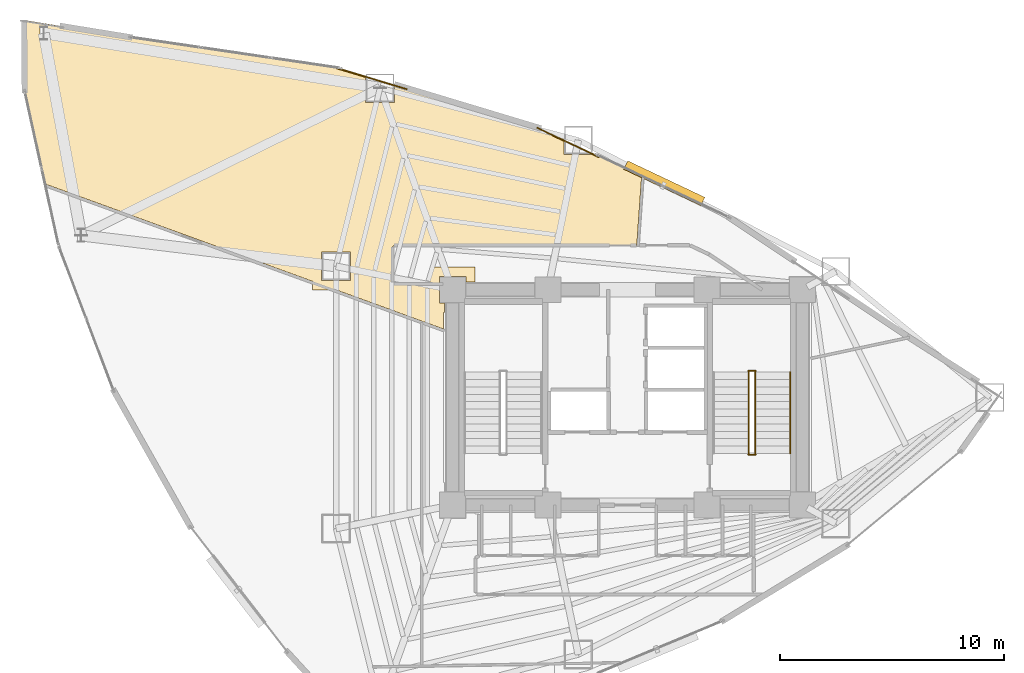
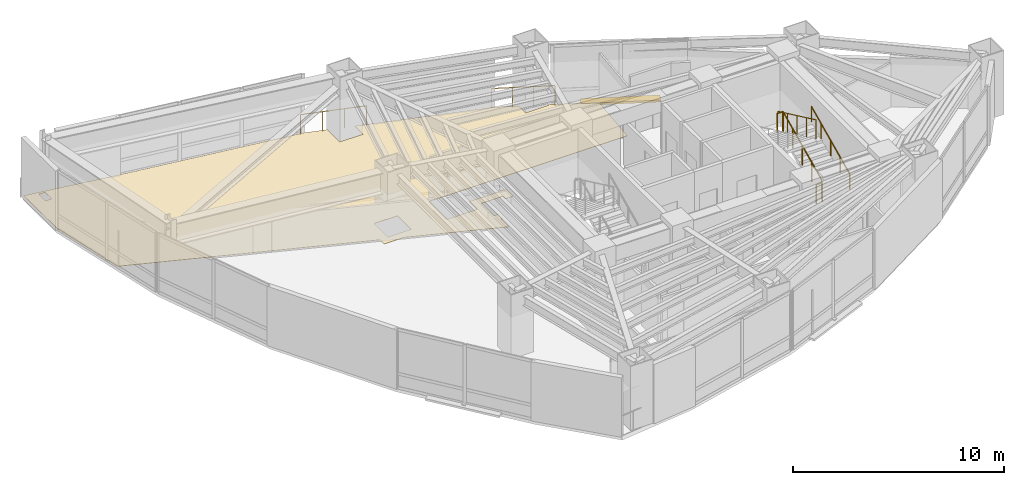
# One storey, part 24 of 25: 7 railings, 1 covering, 1 shading device.
"""IFC4 building model written with IfcOpenShell, lengths in metres."""

from ifc_helpers import new_model, si_unit, direction, frame, origin, origin_2d, place, context, subcontext, project, spatial, polyline, rectangle, circle, outline, extrude, material, layer, layer_set, type_object, element, save


model = new_model("IFC4")

# Units and contexts
model_context = context("Model", 3, precision=1e-05, world=origin(), true_north=direction((0.0, 1.0)))
body_context = subcontext(model_context, "Body", "Model", "MODEL_VIEW")
ifc_project = project(units=[si_unit("LENGTHUNIT", "METRE"), si_unit("AREAUNIT", "SQUARE_METRE"), si_unit("VOLUMEUNIT", "CUBIC_METRE"), si_unit("PLANEANGLEUNIT", "RADIAN"), si_unit("MASSUNIT", "GRAM", prefix="KILO")], contexts=[model_context])

# Site, building, storey
site_placement = place(None, origin())
site = spatial("IfcSite", under=ifc_project, at=site_placement, CompositionType="ELEMENT")
building_placement = place(site_placement, origin())
building = spatial("IfcBuilding", under=site, at=building_placement, Name="Menara Vayukalpa", CompositionType="ELEMENT")
storey_placement = place(building_placement, frame((0.0, 0.0, 115.139892578125)))
storey = spatial("IfcBuildingStorey", under=building, at=storey_placement, Name="L28", CompositionType="ELEMENT", Elevation=115.139892578125)

# Covering
ifc_material_1 = material(Name="Porcelain Stoneware Floor Tile", Category="masonry")
ifc_layer_1 = layer(ifc_material_1, 0.02001953125)
ifc_layer_set_1 = layer_set([ifc_layer_1], Name="Porcelain Stoneware Floor Tile")
covering_type = type_object("IfcCoveringType", Name="COV-FLR1", PredefinedType="FLOORING", material=ifc_layer_set_1)
covering_placement = place(storey_placement, origin())
element("IfcCovering", 1, at=covering_placement, inside=storey, type_object=covering_type, Name="L28 Digital Engineering Lab Porcelain Flooring", PredefinedType="FLOORING", context=body_context, shape_type="SweptSolid", body=[
    extrude(outline(polyline([(18.81005859375, 27.14990234375), (18.389892578125, 27.14990234375), (18.389892578125, 27.389892578125), (17.2099609375, 27.389892578125), (17.2099609375, 26.2099609375), (17.449951171875, 26.2099609375), (17.449951171875, 25.7900390625), (17.389892578125, 25.7900390625), (17.389892578125, 25.06640625), (17.389892578125, 25.065185546875), (17.389892578125, 25.064453125), (17.3896484375, 25.0634765625), (17.389404296875, 25.0625), (17.388916015625, 25.061767578125), (17.388427734375, 25.060791015625), (17.3876953125, 25.06005859375), (17.38720703125, 25.059326171875), (17.386474609375, 25.05859375), (17.3857421875, 25.05810546875), (17.385009765625, 25.0576171875), (17.384033203125, 25.05712890625), (17.38330078125, 25.056884765625), (17.382080078125, 25.056640625), (17.38134765625, 25.056396484375), (17.38037109375, 25.056396484375), (17.37939453125, 25.056396484375), (17.37841796875, 25.056396484375), (17.37744140625, 25.056640625), (17.376708984375, 25.056884765625), (12.626708984375, 26.78564453125), (11.546630859375, 26.78564453125), (11.546630859375, 27.178955078125), (-0.3369140625, 31.504150390625), (-0.343017578125, 31.506103515625), (-0.34423828125, 31.50634765625), (-0.34521484375, 31.506591796875), (-0.34619140625, 31.507080078125), (-0.34716796875, 31.507568359375), (-0.347900390625, 31.508056640625), (-0.3486328125, 31.5087890625), (-0.349365234375, 31.509521484375), (-0.35009765625, 31.51025390625), (-0.3505859375, 31.510986328125), (-0.35107421875, 31.511962890625), (-0.351318359375, 31.512939453125), (-0.351806640625, 31.513916015625), (-1.26513671875, 35.672607421875), (-1.26513671875, 35.673583984375), (-1.265380859375, 35.6748046875), (-1.288330078125, 38.801513671875), (-1.288330078125, 38.802490234375), (-1.2880859375, 38.803466796875), (-1.287841796875, 38.804443359375), (-1.28759765625, 38.805419921875), (-1.287109375, 38.806396484375), (-1.28662109375, 38.80712890625), (-1.2861328125, 38.807861328125), (-1.285400390625, 38.80859375), (-1.284912109375, 38.809326171875), (-1.283935546875, 38.809814453125), (-1.283203125, 38.810302734375), (-1.282470703125, 38.810791015625), (-1.281494140625, 38.811279296875), (-1.280517578125, 38.811279296875), (-1.279541015625, 38.8115234375), (-1.278564453125, 38.811767578125), (-1.277587890625, 38.811767578125), (-1.276611328125, 38.8115234375), (3.41162109375, 38.050537109375), (3.412353515625, 38.05029296875), (3.41259765625, 38.05029296875), (12.826416015625, 36.666259765625), (12.827880859375, 36.666015625), (13.92919921875, 36.33447265625), (13.92919921875, 35.157470703125), (15.208984375, 35.157470703125), (15.208984375, 35.94921875), (21.740966796875, 33.982666015625), (21.74169921875, 33.982421875), (21.742431640625, 33.982177734375), (22.768310546875, 33.49658203125), (22.768310546875, 32.827392578125), (24.048095703125, 32.827392578125), (24.048095703125, 32.890380859375), (26.222900390625, 31.86083984375), (26.223876953125, 31.860595703125), (26.224609375, 31.85986328125), (26.2255859375, 31.859375), (26.226318359375, 31.858642578125), (26.226806640625, 31.85791015625), (26.227294921875, 31.85693359375), (26.227783203125, 31.856201171875), (26.228271484375, 31.85498046875), (26.228515625, 31.854248046875), (26.228515625, 31.853271484375), (26.228759765625, 31.852294921875), (26.228759765625, 31.851318359375), (26.013916015625, 28.779296875), (26.013916015625, 28.7783203125), (26.013427734375, 28.77734375), (26.01318359375, 28.7763671875), (26.0126953125, 28.775390625), (26.01220703125, 28.774658203125), (26.01171875, 28.773681640625), (26.010986328125, 28.77294921875), (26.01025390625, 28.7724609375), (26.009521484375, 28.771728515625), (26.0087890625, 28.771240234375), (26.0078125, 28.770751953125), (26.0068359375, 28.7705078125), (26.005859375, 28.770263671875), (26.0048828125, 28.77001953125), (26.00390625, 28.77001953125), (15.2001953125, 28.77001953125), (15.193115234375, 28.76953125), (15.186279296875, 28.768798828125), (15.1796875, 28.76708984375), (15.173095703125, 28.7646484375), (15.1669921875, 28.76171875), (15.1611328125, 28.75830078125), (15.155517578125, 28.75390625), (15.150390625, 28.74951171875), (15.14599609375, 28.744384765625), (15.141845703125, 28.73876953125), (15.13818359375, 28.73291015625), (15.13525390625, 28.726806640625), (15.133056640625, 28.72021484375), (15.13134765625, 28.713623046875), (15.13037109375, 28.706787109375), (15.1298828125, 28.69970703125), (15.1298828125, 27.140380859375), (15.13037109375, 27.13330078125), (15.13134765625, 27.126220703125), (15.133056640625, 27.11962890625), (15.13525390625, 27.11328125), (15.13818359375, 27.10693359375), (15.141845703125, 27.101318359375), (15.14599609375, 27.095458984375), (15.150390625, 27.090576171875), (15.155517578125, 27.0859375), (15.1611328125, 27.081787109375), (15.1669921875, 27.078125), (15.173095703125, 27.0751953125), (15.1796875, 27.072998046875), (15.186279296875, 27.0712890625), (15.193115234375, 27.0703125), (15.2001953125, 27.070068359375), (16.7900390625, 27.070068359375), (16.7900390625, 27.81005859375), (18.81005859375, 27.81005859375), (18.81005859375, 27.14990234375)]), holes=[polyline([(13.24658203125, 28.485595703125), (11.966552734375, 28.485595703125), (11.966552734375, 27.205810546875), (13.24658203125, 27.205810546875), (13.24658203125, 28.485595703125)]), polyline([(-0.263671875, 38.54638671875), (-0.593505859375, 38.54638671875), (-0.593505859375, 37.92822265625), (-0.263671875, 37.92822265625), (-0.263671875, 38.54638671875)])]), origin(), (0.0, 0.0, 1.0), 0.02001953125),
])

# Railings
ifc_material_2 = material(Name="Laminated Glass and Stainless Steel 316 Guardrail", Category="steel")
railing_type_1 = type_object("IfcRailingType", Name="RLG-EXT115", PredefinedType="GUARDRAIL", material=ifc_material_2)
railing_1_placement = place(storey_placement, frame((24.320068359375, 32.717529296875, 0.0)))
element("IfcRailing", 2, at=railing_1_placement, inside=storey, type_object=railing_type_1, Name="L28 Column Corner Spandrel Guardrail 04-1", PredefinedType="GUARDRAIL", context=body_context, shape_type="SweptSolid", body=[
    extrude(circle(Radius=0.02392578125, at=origin_2d()), frame((0.0, 0.0, 1.1259765625), z_axis=(-0.903818151979, 0.427916753765, 0.0), x_axis=(-0.427916753765, -0.903818151979, 0.0)), (0.0, 0.0, 1.0), 3.032470703125),
    extrude(circle(Radius=0.02099609375, at=origin_2d()), origin(), (0.0, 0.0, 1.0), 1.101806640625),
    extrude(circle(Radius=0.02099609375, at=origin_2d()), frame((-0.91357421875, 0.4326171875, 0.0)), (0.0, 0.0, 1.0), 1.101806640625),
    extrude(circle(Radius=0.02099609375, at=origin_2d()), frame((-1.8271484375, 0.864990234375, 0.0)), (0.0, 0.0, 1.0), 1.101806640625),
    extrude(circle(Radius=0.02099609375, at=origin_2d()), frame((-2.74072265625, 1.297607421875, 0.0)), (0.0, 0.0, 1.0), 1.101806640625),
])
railing_2_placement = place(storey_placement, frame((15.7490234375, 35.744873046875, 0.0)))
element("IfcRailing", 3, at=railing_2_placement, inside=storey, type_object=railing_type_1, Name="L28 Column Corner Spandrel Guardrail 05-1", PredefinedType="GUARDRAIL", context=body_context, shape_type="SweptSolid", body=[
    extrude(circle(Radius=0.02392578125, at=origin_2d()), frame((0.0, 0.0, 1.1259765625), z_axis=(-0.957550754701, 0.288264725854, 0.0), x_axis=(-0.288264725854, -0.957550754701, 0.0)), (0.0, 0.0, 1.0), 3.224365234375),
    extrude(circle(Radius=0.02099609375, at=origin_2d()), origin(), (0.0, 0.0, 1.0), 1.101806640625),
    extrude(circle(Radius=0.02099609375, at=origin_2d()), frame((-1.029052734375, 0.309814453125, 0.0)), (0.0, 0.0, 1.0), 1.101806640625),
    extrude(circle(Radius=0.02099609375, at=origin_2d()), frame((-2.058349609375, 0.61962890625, 0.0)), (0.0, 0.0, 1.0), 1.101806640625),
    extrude(circle(Radius=0.02099609375, at=origin_2d()), frame((-3.08740234375, 0.929443359375, 0.0)), (0.0, 0.0, 1.0), 1.101806640625),
])
ifc_material_3 = material(Name="Powder-Coated Galvanised Steel Guardrail", Category="steel")
railing_type_2 = type_object("IfcRailingType", Name="RLG-STG110", PredefinedType="GUARDRAIL", material=ifc_material_3)
railing_3_placement = place(storey_placement, frame((31.300048828125, 19.5, 0.155029296875)))
element("IfcRailing", 4, at=railing_3_placement, inside=storey, type_object=railing_type_2, Name="L28 ST-2 stair guard 1", PredefinedType="GUARDRAIL", context=body_context, shape_type="SweptSolid", body=[
    extrude(circle(Radius=0.02392578125, at=origin_2d()), frame((0.0, 0.0, 1.09619140625), z_axis=(0.0, 0.90511648382, 0.425163675209), x_axis=(-1.0, 0.0, 0.0)), (0.0, 0.0, 1.0), 4.010498046875),
    extrude(circle(Radius=0.02099609375, at=origin_2d()), origin(), (0.0, 0.0, 1.0), 1.072021484375),
    extrude(circle(Radius=0.02099609375, at=origin_2d()), frame((0.0, 0.907470703125, 0.42626953125)), (0.0, 0.0, 1.0), 1.072021484375),
    extrude(circle(Radius=0.02099609375, at=origin_2d()), frame((0.0, 1.81494140625, 0.8525390625)), (0.0, 0.0, 1.0), 1.072021484375),
    extrude(circle(Radius=0.02099609375, at=origin_2d()), frame((0.0, 2.722412109375, 1.27880859375)), (0.0, 0.0, 1.0), 1.072021484375),
    extrude(circle(Radius=0.02099609375, at=origin_2d()), frame((0.0, 3.6298828125, 1.705078125)), (0.0, 0.0, 1.0), 1.072021484375),
])
railing_4_placement = place(storey_placement, frame((31.31005859375, 23.179931640625, 1.860107421875)))
element("IfcRailing", 5, at=railing_4_placement, inside=storey, type_object=railing_type_2, Name="L28 ST-2 stair guard 2", PredefinedType="GUARDRAIL", context=body_context, shape_type="SweptSolid", body=[
    extrude(circle(Radius=0.02392578125, at=origin_2d()), frame((0.0, 0.0, 1.09619140625), z_axis=(-1.0, 0.0, 0.0), x_axis=(0.0, -1.0, 0.0)), (0.0, 0.0, 1.0), 0.320068359375),
    extrude(circle(Radius=0.02099609375, at=origin_2d()), origin(), (0.0, 0.0, 1.0), 1.072021484375),
    extrude(circle(Radius=0.02099609375, at=origin_2d()), frame((-0.320068359375, 0.0, 0.0)), (0.0, 0.0, 1.0), 1.072021484375),
])
railing_5_placement = place(storey_placement, frame((31.0, 23.1298828125, 2.01513671875)))
element("IfcRailing", 6, at=railing_5_placement, inside=storey, type_object=railing_type_2, Name="L28 ST-2 stair guard 3", PredefinedType="GUARDRAIL", context=body_context, shape_type="SweptSolid", body=[
    extrude(circle(Radius=0.02392578125, at=origin_2d()), frame((0.0, 0.0, 1.09619140625), z_axis=(0.0, -0.90511648382, 0.425163675209), x_axis=(1.0, 0.0, 0.0)), (0.0, 0.0, 1.0), 4.010498046875),
    extrude(circle(Radius=0.02099609375, at=origin_2d()), origin(), (0.0, 0.0, 1.0), 1.072021484375),
    extrude(circle(Radius=0.02099609375, at=origin_2d()), frame((0.0, -0.907470703125, 0.42626953125)), (0.0, 0.0, 1.0), 1.072021484375),
    extrude(circle(Radius=0.02099609375, at=origin_2d()), frame((0.0, -1.81494140625, 0.8525390625)), (0.0, 0.0, 1.0), 1.072021484375),
    extrude(circle(Radius=0.02099609375, at=origin_2d()), frame((0.0, -2.722412109375, 1.27880859375)), (0.0, 0.0, 1.0), 1.072021484375),
    extrude(circle(Radius=0.02099609375, at=origin_2d()), frame((0.0, -3.6298828125, 1.705078125)), (0.0, 0.0, 1.0), 1.072021484375),
])
railing_6_placement = place(storey_placement, frame((31.31005859375, 19.449951171875, 0.0)))
element("IfcRailing", 7, at=railing_6_placement, inside=storey, type_object=railing_type_2, Name="L28 ST-2 stair guard 4", PredefinedType="GUARDRAIL", context=body_context, shape_type="SweptSolid", body=[
    extrude(circle(Radius=0.02392578125, at=origin_2d()), frame((0.0, 0.0, 1.09619140625), z_axis=(-1.0, 0.0, 0.0), x_axis=(0.0, -1.0, 0.0)), (0.0, 0.0, 1.0), 0.320068359375),
    extrude(circle(Radius=0.02099609375, at=origin_2d()), origin(), (0.0, 0.0, 1.0), 1.072021484375),
    extrude(circle(Radius=0.02099609375, at=origin_2d()), frame((-0.320068359375, 0.0, 0.0)), (0.0, 0.0, 1.0), 1.072021484375),
])
ifc_material_4 = material(Name="Stainless Steel 316 Tubular Handrail", Category="steel")
railing_type_3 = type_object("IfcRailingType", Name="RLG-STH090", PredefinedType="HANDRAIL", material=ifc_material_4)
railing_7_placement = place(storey_placement, frame((32.85009765625, 19.5, 0.155029296875)))
element("IfcRailing", 8, at=railing_7_placement, inside=storey, type_object=railing_type_3, Name="L28 ST-2 stair handrail 1", PredefinedType="HANDRAIL", context=body_context, shape_type="SweptSolid", body=[
    extrude(circle(Radius=0.02392578125, at=origin_2d()), frame((0.0, 0.0, 0.8759765625), z_axis=(0.0, 0.90511648382, 0.425163675209), x_axis=(-1.0, 0.0, 0.0)), (0.0, 0.0, 1.0), 4.010498046875),
    extrude(circle(Radius=0.02099609375, at=origin_2d()), origin(), (0.0, 0.0, 1.0), 0.851806640625),
    extrude(circle(Radius=0.02099609375, at=origin_2d()), frame((0.0, 0.907470703125, 0.42626953125)), (0.0, 0.0, 1.0), 0.851806640625),
    extrude(circle(Radius=0.02099609375, at=origin_2d()), frame((0.0, 1.81494140625, 0.8525390625)), (0.0, 0.0, 1.0), 0.851806640625),
    extrude(circle(Radius=0.02099609375, at=origin_2d()), frame((0.0, 2.722412109375, 1.27880859375)), (0.0, 0.0, 1.0), 0.851806640625),
    extrude(circle(Radius=0.02099609375, at=origin_2d()), frame((0.0, 3.6298828125, 1.705078125)), (0.0, 0.0, 1.0), 0.851806640625),
])

# Shading device
ifc_material_5 = material(Name="Glazed Terracotta Ceramic Baguette Extrusion", Category="masonry")
ifc_layer_2 = layer(ifc_material_5, 0.1201171875)
ifc_layer_set_2 = layer_set([ifc_layer_2], Name="Glazed Terracotta Ceramic Baguette Extrusion")
shading_device_type = type_object("IfcShadingDeviceType", Name="SHD-SS1", PredefinedType="USERDEFINED", material=ifc_layer_set_2)
shading_device_placement = place(storey_placement, frame((27.239013671875, 31.5458984375, -0.099853515625), z_axis=(0.0, 0.0, 1.0), x_axis=(-0.90383625926, 0.427878506643, 0.0)))
element("IfcShadingDevice", 9, at=shading_device_placement, inside=storey, type_object=shading_device_type, Name="L28 Horizontal Terracotta Sunshade Band 05", ObjectType="SUNSHADE", PredefinedType="USERDEFINED", context=body_context, shape_type="SweptSolid", body=[
    extrude(rectangle(XDim=3.800048828125, YDim=0.419921875, at=origin_2d()), origin(), (0.0, 0.0, 1.0), 0.1201171875),
])

save(model, "model.ifc")
